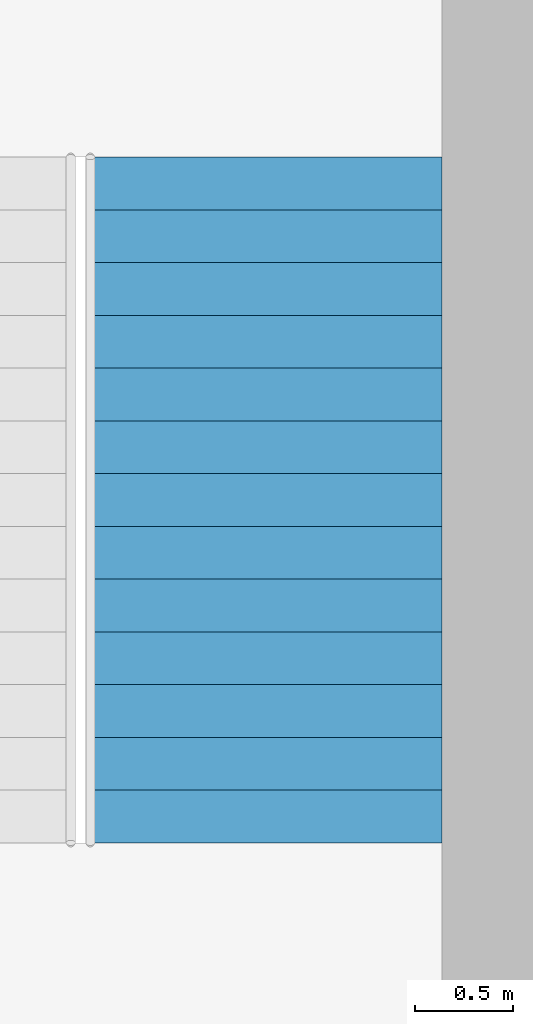
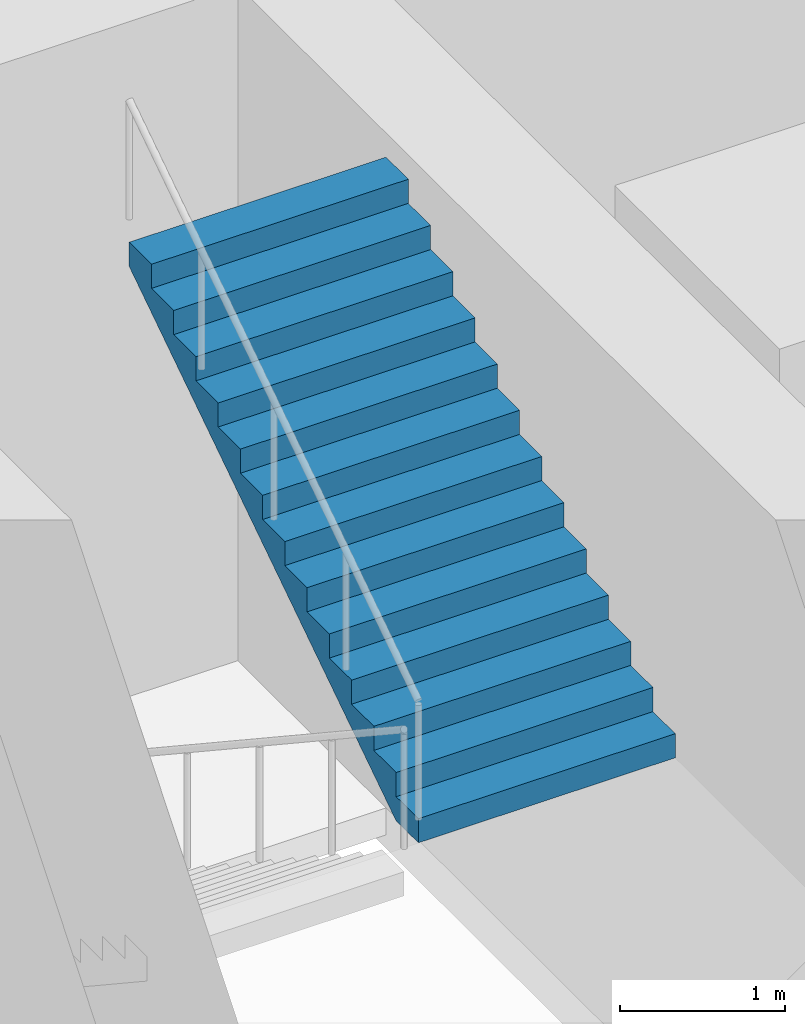
# One storey, part 16 of 19: 1 stair flight, 1 element without a shape of its own.
"""IFC4 building model written with IfcOpenShell, lengths in metres."""

import ifcopenshell
import ifcopenshell.guid

model = None  # the IFC model being written
_history = None  # IfcOwnerHistory: only IFC2X3 demands one
_inside = {}  # id of a spatial element -> (the spatial element, [elements in it])
_under = {}  # id of a project, library or spatial element -> (it, [spatial elements below it])
_declared = {}  # id of a project -> (the project, [libraries it declares])
_typed = {}  # id of a type object -> (the type object, [elements of that type])
_made_of = {}  # id of a material, layer set ... -> (it, [elements and type objects made of it])


def new_model(schema):
    """Start an empty IFC model of exactly this schema.

    Asked for "IFC4X3", IfcOpenShell would pick the latest addendum, in which some entities
    have other attributes; the version numbers below select the first issue.
    IFC2X3 requires an IfcOwnerHistory on every rooted entity: one is made here for all.
    """
    global model, _history
    if schema == "IFC4X3":
        model = ifcopenshell.file(schema_version=(4, 3, 0, 0))
    else:
        model = ifcopenshell.file(schema=schema)
    _inside.clear()
    _under.clear()
    _declared.clear()
    _typed.clear()
    _made_of.clear()
    _history = None
    if model.schema == "IFC2X3":
        org = make("IfcOrganization", Name="unknown")
        user = make(
            "IfcPersonAndOrganization",
            ThePerson=make("IfcPerson", FamilyName="unknown"),
            TheOrganization=org,
        )
        app = make(
            "IfcApplication",
            ApplicationDeveloper=org,
            Version="unknown",
            ApplicationFullName="unknown",
            ApplicationIdentifier="unknown",
        )
        _history = make(
            "IfcOwnerHistory",
            OwningUser=user,
            OwningApplication=app,
            ChangeAction="ADDED",
            CreationDate=0,
        )
    return model


def make(cls, **values):
    """One entity of the class cls with the attributes given. An attribute that is None is left unset."""
    return model.create_entity(
        cls, **{name: value for name, value in values.items() if value is not None}
    )


def rooted(cls, **values):
    """An entity with a GlobalId (a new one), such as an element, a storey or a relation."""
    return make(cls, GlobalId=ifcopenshell.guid.new(), OwnerHistory=_history, **values)


def si_unit(unit_type, name, prefix=None):
    """IfcSIUnit, for example si_unit("LENGTHUNIT", "METRE", prefix="MILLI")."""
    return make("IfcSIUnit", UnitType=unit_type, Prefix=prefix, Name=name)


def assignment(units):
    """IfcUnitAssignment: the units of a project."""
    return None if units is None else make("IfcUnitAssignment", Units=units)


def point(xyz):
    """IfcCartesianPoint."""
    return None if xyz is None else make("IfcCartesianPoint", Coordinates=xyz)


def direction(xyz):
    """IfcDirection."""
    return None if xyz is None else make("IfcDirection", DirectionRatios=xyz)


def frame(location, z_axis=None, x_axis=None):
    """IfcAxis2Placement3D, a coordinate frame: its origin and axes. An axis left out is left unset."""
    return make(
        "IfcAxis2Placement3D",
        Location=point(location),
        Axis=direction(z_axis),
        RefDirection=direction(x_axis),
    )


def origin():
    """The frame at (0, 0, 0) with its axes left unset."""
    return frame((0.0, 0.0, 0.0))


def place(relative_to, where):
    """IfcLocalPlacement: puts the frame where relative to a parent placement (None: the world)."""
    return make(
        "IfcLocalPlacement", PlacementRelTo=relative_to, RelativePlacement=where
    )


def context(
    kind, dimensions, precision=None, world=None, true_north=None, identifier=None
):
    """IfcGeometricRepresentationContext, for example the 3D "Model" context."""
    return make(
        "IfcGeometricRepresentationContext",
        ContextIdentifier=identifier,
        ContextType=kind,
        CoordinateSpaceDimension=dimensions,
        Precision=precision,
        WorldCoordinateSystem=world,
        TrueNorth=true_north,
    )


def subcontext(parent, identifier, kind, view, scale=None):
    """IfcGeometricRepresentationSubContext, for example "Body" below "Model"."""
    return make(
        "IfcGeometricRepresentationSubContext",
        ContextIdentifier=identifier,
        ContextType=kind,
        ParentContext=parent,
        TargetScale=scale,
        TargetView=view,
    )


def project(units=None, contexts=None):
    """IfcProject with its units and contexts."""
    return rooted(
        "IfcProject",
        Name="project",
        RepresentationContexts=contexts,
        UnitsInContext=assignment(units),
    )


def spatial(cls, under=None, at=None, **own):
    """A site, building, storey or space (cls), placed at a placement, below another one or the project."""
    s = rooted(cls, ObjectPlacement=at, **own)
    if under is not None:
        _under.setdefault(under.id(), (under, []))[1].append(s)
    return s


def polyline(points):
    """IfcPolyline through the points."""
    return make("IfcPolyline", Points=[point(p) for p in points])


def outline(outer, holes=None, kind="AREA"):
    """IfcArbitraryClosedProfileDef: a profile drawn as a closed curve; with holes, ...WithVoids."""
    if holes is None:
        return make("IfcArbitraryClosedProfileDef", ProfileType=kind, OuterCurve=outer)
    return make(
        "IfcArbitraryProfileDefWithVoids",
        ProfileType=kind,
        OuterCurve=outer,
        InnerCurves=holes,
    )


def extrude(swept, where, along, depth):
    """IfcExtrudedAreaSolid: the profile swept, set in the frame where, extruded along a direction by depth."""
    return make(
        "IfcExtrudedAreaSolid",
        SweptArea=swept,
        Position=where,
        ExtrudedDirection=direction(along),
        Depth=depth,
    )


def shape(context_of_items, identifier, shape_type, items):
    """IfcShapeRepresentation: the items that make up one representation, for example the "Body"."""
    return make(
        "IfcShapeRepresentation",
        ContextOfItems=context_of_items,
        RepresentationIdentifier=identifier,
        RepresentationType=shape_type,
        Items=items,
    )


def material(Name=None, Category=None):
    """IfcMaterial."""
    return make("IfcMaterial", Name=Name, Category=Category)


def made_of(thing, what):
    """Note that an element or type object is made of a material, layer set ...; save() writes the relation."""
    if what is not None:
        _made_of.setdefault(what.id(), (what, []))[1].append(thing)
    return thing


def type_object(cls, material=None, **own):
    """A type object (cls), such as IfcWallType, which elements share."""
    return made_of(rooted(cls, **own), material)


def element(
    cls,
    number,
    at=None,
    inside=None,
    cuts=None,
    type_object=None,
    material=None,
    context=None,
    identifier="Body",
    shape_type=None,
    held_by="IfcProductDefinitionShape",
    body=None,
    shapes=None,
    **own,
):
    """One element of the class cls, such as IfcWall. Its Tag is "e" and its number.

    at: its placement. inside: the storey or other place that contains it. cuts: it is an
    opening in that element (IfcRelVoidsElement). A single representation is given by context,
    identifier, shape_type and body (its items); several are given by shapes. held_by: the class
    of the entity that holds the representations. save() writes the other relations.
    """
    e = rooted(cls, Tag="e%d" % number, ObjectPlacement=at, **own)
    if body is not None:
        shapes = [shape(context, identifier, shape_type, body)]
    if shapes is not None:
        e.Representation = make(held_by, Representations=shapes)
    if inside is not None:
        _inside.setdefault(inside.id(), (inside, []))[1].append(e)
    if cuts is not None:
        rooted(
            "IfcRelVoidsElement", RelatingBuildingElement=cuts, RelatedOpeningElement=e
        )
    if type_object is not None:
        _typed.setdefault(type_object.id(), (type_object, []))[1].append(e)
    return made_of(e, material)


def aggregate(whole, parts):
    """IfcRelAggregates: a whole, such as a stair, and the parts it consists of."""
    return rooted("IfcRelAggregates", RelatingObject=whole, RelatedObjects=parts)


def save(model, path):
    """Write the relations noted so far, then the file.

    IfcRelAggregates (storeys below a building ...), IfcRelContainedInSpatialStructure (elements
    in a storey), IfcRelDefinesByType, IfcRelAssociatesMaterial and IfcRelDeclares: one each for
    every whole, place, type object, material and project.
    """
    for whole, parts in _under.values():
        aggregate(whole, parts)
    for where, things in _inside.values():
        rooted(
            "IfcRelContainedInSpatialStructure",
            RelatedElements=things,
            RelatingStructure=where,
        )
    for kind, things in _typed.values():
        rooted("IfcRelDefinesByType", RelatedObjects=things, RelatingType=kind)
    for what, things in _made_of.values():
        rooted("IfcRelAssociatesMaterial", RelatedObjects=things, RelatingMaterial=what)
    for by, libraries in _declared.values():
        rooted("IfcRelDeclares", RelatingContext=by, RelatedDefinitions=libraries)
    model.write(path)


model = new_model("IFC4")

# Units and contexts
model_context = context("Model", 3, precision=1e-05, world=origin(), true_north=direction((0.0, 1.0)))
body_context = subcontext(model_context, "Body", "Model", "MODEL_VIEW")
ifc_project = project(units=[si_unit("LENGTHUNIT", "METRE"), si_unit("AREAUNIT", "SQUARE_METRE"), si_unit("VOLUMEUNIT", "CUBIC_METRE"), si_unit("PLANEANGLEUNIT", "RADIAN"), si_unit("MASSUNIT", "GRAM", prefix="KILO")], contexts=[model_context])

# Site, building, storey
site_placement = place(None, origin())
site = spatial("IfcSite", under=ifc_project, at=site_placement, CompositionType="ELEMENT")
building_placement = place(site_placement, origin())
building = spatial("IfcBuilding", under=site, at=building_placement, Name="Cleftline Residences", CompositionType="ELEMENT")
storey_placement = place(building_placement, frame((0.0, 0.0, 11.0)))
storey = spatial("IfcBuildingStorey", under=building, at=storey_placement, Name="L02", CompositionType="ELEMENT", Elevation=11.0)

# Stair, stair flight
ifc_material_1 = material(Name="Concrete B45, stone treads", Category="masonry")
stair_type = type_object("IfcStairType", Name="STAIR E 1800 WIDE 179 RISER", PredefinedType="HALF_TURN_STAIR", material=ifc_material_1)
stair_placement = place(storey_placement, origin())
stair = element("IfcStair", 1, at=stair_placement, inside=storey, type_object=stair_type, Name="Stair E L02", PredefinedType="HALF_TURN_STAIR")
ifc_material_2 = material(Name="Concrete B45", Category="concrete")
stair_flight_type = type_object("IfcStairFlightType", Name="STAIR E FLIGHT 1800X179", PredefinedType="STRAIGHT", material=ifc_material_2)
stair_flight_placement = place(storey_placement, frame((62.824951171875, 22.6650390625, 2.5), z_axis=(0.0, 0.0, 1.0), x_axis=(0.0, 1.0, 0.0)))
stair_flight = element("IfcStairFlight", 2, at=stair_flight_placement, type_object=stair_flight_type, Name="ST-E flight 2", NumberOfRisers=14, NumberOfTreads=13, PredefinedType="STRAIGHT", RiserHeight=0.178571429, TreadLength=0.27, context=body_context, shape_type="SweptSolid", body=[
    extrude(outline(polyline([(0.0, 0.0), (0.0, 0.013671875), (0.0, 0.027587890625), (0.0, 0.041259765625), (0.0, 0.054931640625), (0.0, 0.068603515625), (0.0, 0.08251953125), (0.0, 0.09619140625), (0.0, 0.10986328125), (0.0, 0.12353515625), (0.0, 0.137451171875), (0.0, 0.151123046875), (0.0, 0.164794921875), (0.0, 0.178466796875), (0.27001953125, 0.178466796875), (0.27001953125, 0.357177734375), (0.5400390625, 0.357177734375), (0.5400390625, 0.53564453125), (0.81005859375, 0.53564453125), (0.81005859375, 0.71435546875), (1.080078125, 0.71435546875), (1.080078125, 0.892822265625), (1.35009765625, 0.892822265625), (1.35009765625, 1.071533203125), (1.6201171875, 1.071533203125), (1.6201171875, 1.25), (1.889892578125, 1.25), (1.889892578125, 1.428466796875), (2.159912109375, 1.428466796875), (2.159912109375, 1.607177734375), (2.429931640625, 1.607177734375), (2.429931640625, 1.78564453125), (2.699951171875, 1.78564453125), (2.699951171875, 1.96435546875), (2.969970703125, 1.96435546875), (2.969970703125, 2.142822265625), (3.239990234375, 2.142822265625), (3.239990234375, 2.321533203125), (3.510009765625, 2.321533203125), (3.510009765625, 2.5), (3.510009765625, 2.472412109375), (3.510009765625, 2.44482421875), (3.510009765625, 2.417236328125), (3.510009765625, 2.3896484375), (3.510009765625, 2.3623046875), (3.510009765625, 2.334716796875), (3.510009765625, 2.30712890625), (3.510009765625, 2.279541015625), (3.510009765625, 2.251953125), (3.510009765625, 2.224365234375), (3.510009765625, 2.19677734375), (3.510009765625, 2.169189453125), (3.510009765625, 2.1416015625), (0.271728515625, 0.0), (0.0, 0.0)])), frame((0.0, 0.89990234375, 0.0), z_axis=(0.0, -1.0, 0.0), x_axis=(1.0, 0.0, 0.0)), (0.0, 0.0, 1.0), 1.800048828125),
])
aggregate(stair, [stair_flight])

save(model, "model.ifc")
